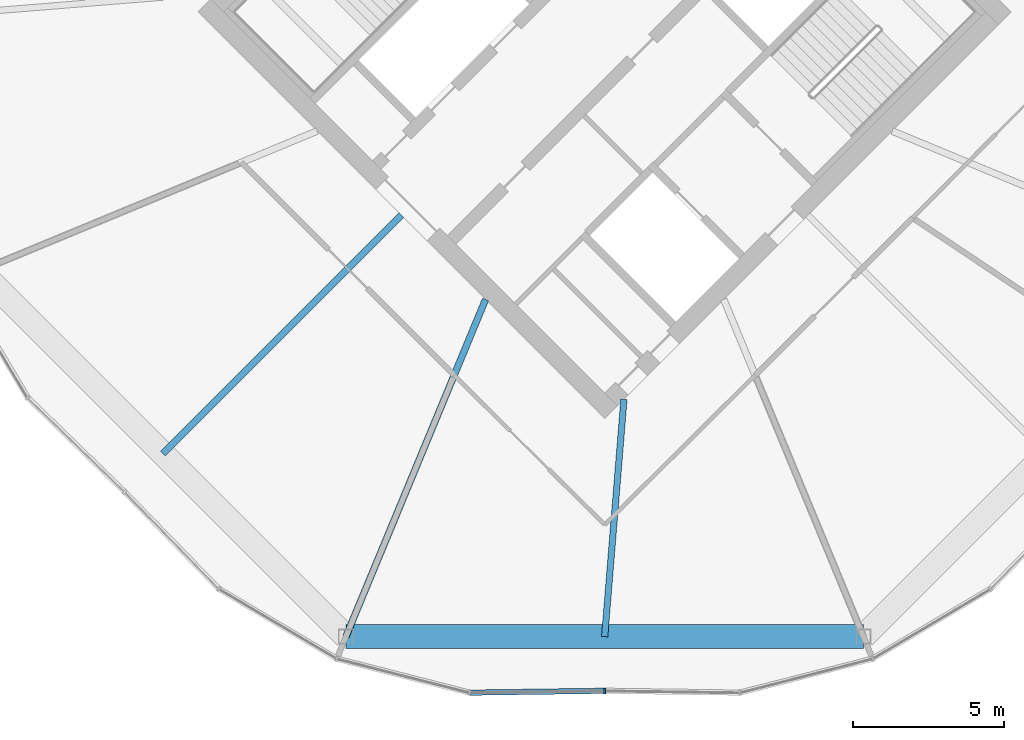
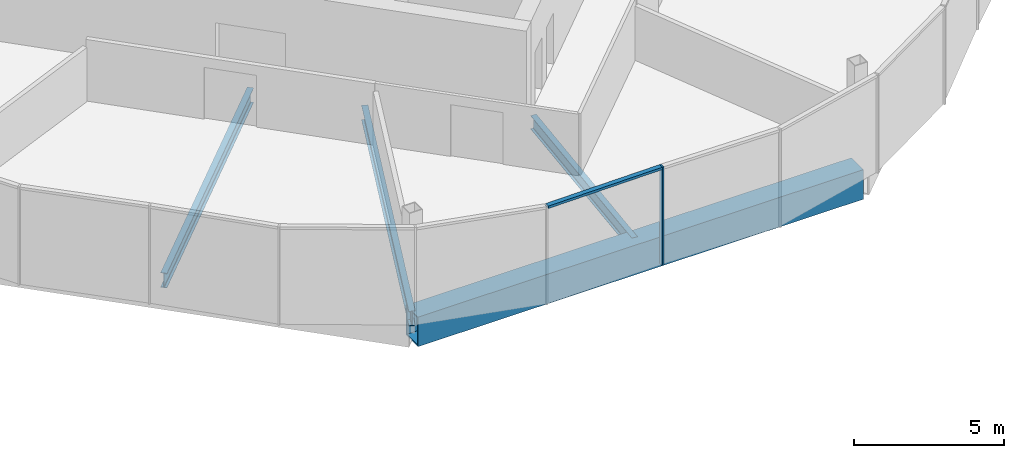
# One storey, part 12 of 26: 4 beams, 2 members, 1 element without a shape of its own.
"""IFC4 building model written with IfcOpenShell, lengths in metres."""

from ifc_helpers import new_model, si_unit, direction, frame, origin, origin_2d, place, context, subcontext, project, spatial, rectangle, hollow_rectangle, i_section, extrude, material, material_profile, profile_set, type_object, element, aggregate, save


model = new_model("IFC4")

# Units and contexts
model_context = context("Model", 3, precision=1e-05, world=origin(), true_north=direction((0.0, 1.0)))
body_context = subcontext(model_context, "Body", "Model", "MODEL_VIEW")
ifc_project = project(units=[si_unit("LENGTHUNIT", "METRE"), si_unit("AREAUNIT", "SQUARE_METRE"), si_unit("VOLUMEUNIT", "CUBIC_METRE"), si_unit("PLANEANGLEUNIT", "RADIAN"), si_unit("MASSUNIT", "GRAM", prefix="KILO")], contexts=[model_context])

# Site, building, storey
site_placement = place(None, origin())
site = spatial("IfcSite", under=ifc_project, at=site_placement, CompositionType="ELEMENT")
building_placement = place(site_placement, origin())
building = spatial("IfcBuilding", under=site, at=building_placement, Name="Ogive Gate Towers", CompositionType="ELEMENT")
storey_placement = place(building_placement, frame((0.0, 0.0, 156.800048828125)))
storey = spatial("IfcBuildingStorey", under=building, at=storey_placement, Name="L37", CompositionType="ELEMENT", Elevation=156.800048828125)

# Beams
ifc_material_1 = material(Name="Steel SM460", Category="steel")
ifc_material_profile_1 = material_profile(ifc_material_1, hollow_rectangle(XDim=0.800048828125, YDim=1.199951171875, WallThickness=0.050048828125, at=origin_2d()), Name="BX 1200x800x50")
ifc_profile_set_1 = profile_set([ifc_material_profile_1], Name="Steel SM460")
beam_type_1 = type_object("IfcBeamType", Name="Edge girder BX 1200x800x50", PredefinedType="BEAM", material=ifc_profile_set_1)
beam_1_placement = place(storey_placement, frame((27.450927734375, -20.639404296875, -0.900146484375), z_axis=(1.0, 0.0, 0.0), x_axis=(0.0, 1.0, 0.0)))
element("IfcBeam", 1, at=beam_1_placement, inside=storey, type_object=beam_type_1, Name="T2/L37/SBM018", PredefinedType="BEAM", context=body_context, shape_type="SweptSolid", body=[
    extrude(hollow_rectangle(XDim=0.800048828125, YDim=1.199951171875, WallThickness=0.050048828125, at=origin_2d()), origin(), (0.0, 0.0, 1.0), 17.09814453125),
])
ifc_material_2 = material(Name="Steel SM355", Category="steel")
ifc_material_profile_2 = material_profile(ifc_material_2, i_section(OverallWidth=0.2099609375, OverallDepth=0.550048828125, WebThickness=0.010986328125, FlangeThickness=0.01708984375, FilletRadius=0.02392578125, at=origin_2d()), Name="IPE 550")
ifc_profile_set_2 = profile_set([ifc_material_profile_2], Name="Steel SM355")
beam_type_2 = type_object("IfcBeamType", Name="Radial floor beam IPE 550", PredefinedType="BEAM", material=ifc_profile_set_2)
beam_2_placement = place(storey_placement, frame((36.636474609375, -12.798583984375, -0.574951171875), z_axis=(-0.080908365468, -0.996721544062, 0.0), x_axis=(0.996721544062, -0.080908365468, 0.0)))
element("IfcBeam", 2, at=beam_2_placement, inside=storey, type_object=beam_type_2, Name="T2/L37/SBM004", PredefinedType="BEAM", context=body_context, shape_type="SweptSolid", body=[
    extrude(i_section(OverallWidth=0.2099609375, OverallDepth=0.550048828125, WebThickness=0.010986328125, FlangeThickness=0.01708984375, FilletRadius=0.02392578125, at=origin_2d()), origin(), (0.0, 0.0, 1.0), 7.86669921875),
])
ifc_material_profile_3 = material_profile(ifc_material_2, i_section(OverallWidth=0.219970703125, OverallDepth=0.60009765625, WebThickness=0.011962890625, FlangeThickness=0.01904296875, FilletRadius=0.02392578125, at=origin_2d()), Name="IPE 600")
ifc_profile_set_3 = profile_set([ifc_material_profile_3], Name="Steel SM355")
beam_type_3 = type_object("IfcBeamType", Name="Radial floor beam IPE 600", PredefinedType="BEAM", material=ifc_profile_set_3)
beam_3_placement = place(storey_placement, frame((29.282470703125, -6.717529296875, -0.60009765625), z_axis=(-0.707106781187, -0.707106781187, 0.0), x_axis=(0.707106781187, -0.707106781187, 0.0)))
element("IfcBeam", 3, at=beam_3_placement, inside=storey, type_object=beam_type_3, Name="T2/L37/SBM002", PredefinedType="BEAM", context=body_context, shape_type="SweptSolid", body=[
    extrude(i_section(OverallWidth=0.219970703125, OverallDepth=0.60009765625, WebThickness=0.011962890625, FlangeThickness=0.01904296875, FilletRadius=0.02392578125, at=origin_2d()), origin(), (0.0, 0.0, 1.0), 11.139404296875),
])
beam_4_placement = place(storey_placement, frame((32.06494140625, -9.5, -0.60009765625), z_axis=(-0.382677863518, -0.923881839184, 0.0), x_axis=(0.923881839184, -0.382677863518, 0.0)))
element("IfcBeam", 4, at=beam_4_placement, inside=storey, type_object=beam_type_3, Name="T2/L37/SBM003", PredefinedType="BEAM", context=body_context, shape_type="SweptSolid", body=[
    extrude(i_section(OverallWidth=0.219970703125, OverallDepth=0.60009765625, WebThickness=0.011962890625, FlangeThickness=0.01904296875, FilletRadius=0.02392578125, at=origin_2d()), origin(), (0.0, 0.0, 1.0), 12.05712890625),
])

# Curtain wall, members
ifc_material_3 = material(Name="Pale metal aluminium", Category="aluminium")
curtain_wall_type = type_object("IfcCurtainWallType", Name="Tower unitised wall, high zone", PredefinedType="NOTDEFINED", material=ifc_material_3)
curtain_wall_placement = place(storey_placement, origin())
curtain_wall = element("IfcCurtainWall", 5, at=curtain_wall_placement, inside=storey, type_object=curtain_wall_type, Name="CW2 T2 ECW06", PredefinedType="NOTDEFINED")
ifc_material_profile_4 = material_profile(ifc_material_3, rectangle(XDim=0.179931640625, YDim=0.06005859375, at=origin_2d()), Name="60 x 180 aluminium box")
ifc_profile_set_4 = profile_set([ifc_material_profile_4], Name="Pale metal aluminium")
member_type_1 = type_object("IfcMemberType", Name="Tower unitised wall, high zone mullion 60 x 180", PredefinedType="MULLION", material=ifc_profile_set_4)
member_1_placement = place(storey_placement, frame((36.0, -22.429931640625, -0.300048828125), z_axis=(0.0, 0.0, 1.0), x_axis=(0.013717857647, -0.999905905764, 0.0)))
member_1 = element("IfcMember", 6, at=member_1_placement, type_object=member_type_1, Name="CW2 mullion", PredefinedType="MULLION", context=body_context, shape_type="SweptSolid", body=[
    extrude(rectangle(XDim=0.179931640625, YDim=0.06005859375, at=origin_2d()), origin(), (0.0, 0.0, 1.0), 4.0),
])
ifc_material_profile_5 = material_profile(ifc_material_3, rectangle(XDim=0.179931640625, YDim=0.10009765625, at=origin_2d()), Name="100 x 180 aluminium box")
ifc_profile_set_5 = profile_set([ifc_material_profile_5], Name="Pale metal aluminium")
member_type_2 = type_object("IfcMemberType", Name="Tower unitised wall, high zone transom 100 x 180", PredefinedType="USERDEFINED", material=ifc_profile_set_5)
member_2_placement = place(storey_placement, frame((31.56201171875, -22.490966796875, 3.64990234375), z_axis=(0.999905677146, 0.013734511655, 0.0), x_axis=(-0.013734511655, 0.999905677146, 0.0)))
member_2 = element("IfcMember", 7, at=member_2_placement, type_object=member_type_2, Name="CW2 transom", ObjectType="TRANSOM", PredefinedType="USERDEFINED", context=body_context, shape_type="SweptSolid", body=[
    extrude(rectangle(XDim=0.179931640625, YDim=0.10009765625, at=origin_2d()), origin(), (0.0, 0.0, 1.0), 4.408447265625),
])
aggregate(curtain_wall, [member_1, member_2])

save(model, "model.ifc")
